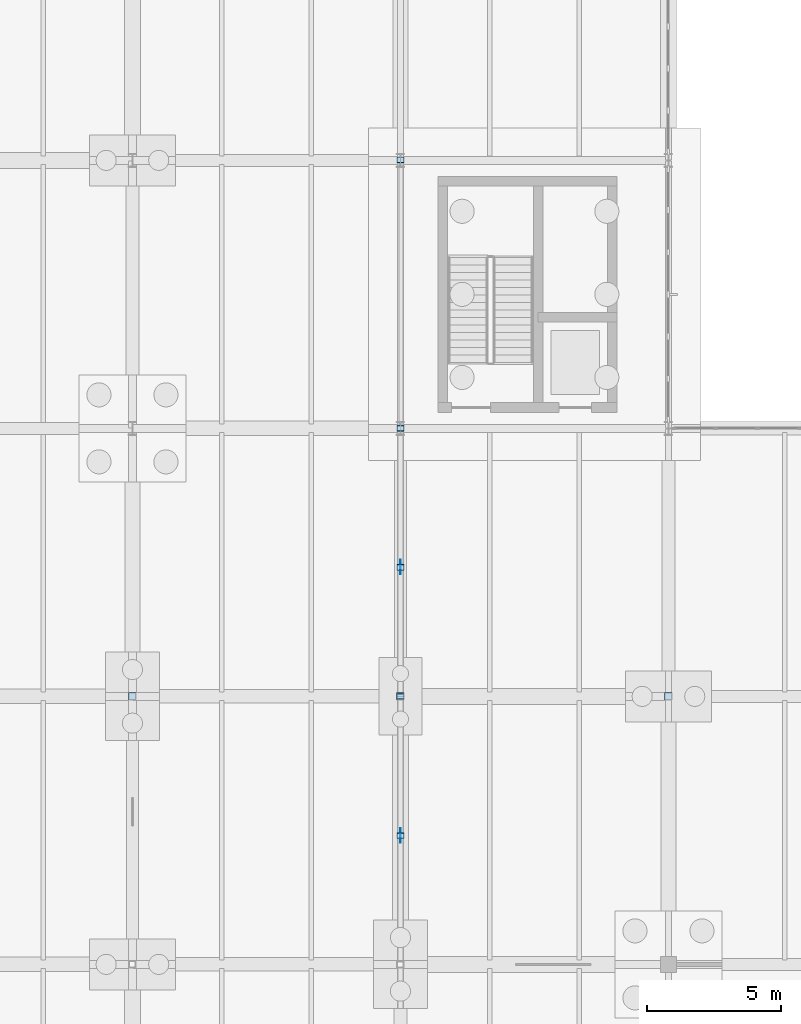
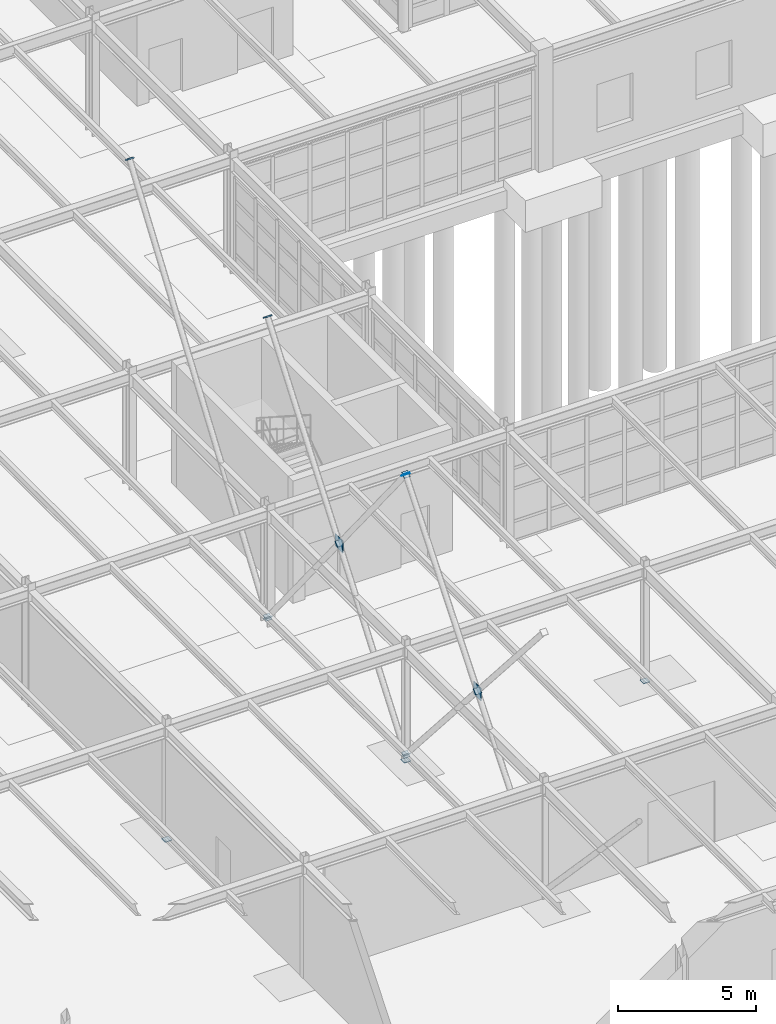
# One storey, part 110 of 145: 17 plates.
"""IFC4 building model written with IfcOpenShell, lengths in metres."""

from ifc_helpers import new_model, si_unit, direction, frame, origin, origin_2d, place, context, subcontext, project, spatial, rectangle, extrude, material, layer, layer_set, type_object, element, save


model = new_model("IFC4")

# Units and contexts
model_context = context("Model", 3, precision=1e-05, world=origin(), true_north=direction((0.0, 1.0)))
body_context = subcontext(model_context, "Body", "Model", "MODEL_VIEW")
ifc_project = project(units=[si_unit("LENGTHUNIT", "METRE"), si_unit("AREAUNIT", "SQUARE_METRE"), si_unit("VOLUMEUNIT", "CUBIC_METRE"), si_unit("PLANEANGLEUNIT", "RADIAN"), si_unit("MASSUNIT", "GRAM", prefix="KILO"), si_unit("THERMODYNAMICTEMPERATUREUNIT", "KELVIN"), si_unit("POWERUNIT", "WATT")], contexts=[model_context])

# Site, building, storey
site_placement = place(None, origin())
site = spatial("IfcSite", under=ifc_project, at=site_placement, CompositionType="ELEMENT")
building_placement = place(site_placement, origin())
building = spatial("IfcBuilding", under=site, at=building_placement, Name="Korenveer Ferry Terminal", CompositionType="ELEMENT")
storey_placement = place(building_placement, origin())
storey = spatial("IfcBuildingStorey", under=building, at=storey_placement, Name="L00", CompositionType="ELEMENT", Elevation=0.0)

# Plates
ifc_material = material(Name="Steel S355", Category="steel")
ifc_layer_1 = layer(ifc_material, 0.031982421875)
ifc_layer_set_1 = layer_set([ifc_layer_1], Name="Steel S355")
plate_type_1 = type_object("IfcPlateType", Name="STR-PLT-CAP32", PredefinedType="USERDEFINED", material=ifc_layer_set_1)
for number, where, z_axis, x_axis, name in (
    (1, (103.0, 40.0, -0.0322265625), (0.0, 0.0, 1.0), (1.0, 0.0, 0.0), "Hollow section end cap 29"),
    (2, (113.0, 40.0, -0.0322265625), (0.0, 0.0, 1.0), (1.0, 0.0, 0.0), "Hollow section end cap 36"),
    (3, (123.0, 40.0, -0.0322265625), (0.0, 0.0, 1.0), (1.0, 0.0, 0.0), "Hollow section end cap 41"),
):
    element("IfcPlate", number, at=place(storey_placement, frame(where, z_axis=z_axis, x_axis=x_axis)), inside=storey, type_object=plate_type_1, Name=name, ObjectType="END CAP PLATE", PredefinedType="USERDEFINED", context=body_context, shape_type="SweptSolid", body=[
        extrude(rectangle(XDim=0.280029296875, YDim=0.280029296875, at=origin_2d()), origin(), (0.0, 0.0, 1.0), 0.031982421875),
    ])
for number, where, z_axis, x_axis, name in (
    (4, (113.0, 40.0, 12.6142578125), (0.0, 0.628847979278, 0.777528275343), (-1.0, 0.0, 0.0), "Hollow section end cap 180"),
    (5, (113.0, 40.02099609375, 0.22607421875), (0.0, -0.657599163703, 0.753367997659), (1.0, 0.0, 0.0), "Hollow section end cap 181"),
    (6, (113.0, 34.809326171875, 6.196533203125), (0.0, -0.657599163703, 0.753367997659), (1.0, 0.0, 0.0), "Hollow section end cap 182"),
    (7, (113.0, 34.830322265625, 6.172607421875), (0.0, -0.657599163703, 0.753367997659), (1.0, 0.0, 0.0), "Hollow section end cap 183"),
    (8, (113.0, 39.98095703125, 0.224609375), (0.0, 0.601761010006, 0.798676209008), (-1.0, 0.0, 0.0), "Hollow section end cap 185"),
    (9, (113.0, 50.0, 13.5224609375), (0.0, 0.601761010006, 0.798676209008), (-1.0, 0.0, 0.0), "Hollow section end cap 186"),
    (10, (113.0, 50.02001953125, 0.22509765625), (0.0, -0.628847979278, 0.777528275343), (1.0, 0.0, 0.0), "Hollow section end cap 187"),
    (11, (113.0, 44.82275390625, 6.651123046875), (0.0, -0.628847979278, 0.777528275343), (1.0, 0.0, 0.0), "Hollow section end cap 188"),
    (12, (113.0, 44.843017578125, 6.626220703125), (0.0, -0.628847979278, 0.777528275343), (1.0, 0.0, 0.0), "Hollow section end cap 189"),
    (13, (113.0, 40.0, 12.6142578125), (0.0, -0.628847979278, 0.777528275343), (1.0, 0.0, 0.0), "Hollow section end cap 190"),
    (14, (113.0, 49.9814453125, 0.2236328125), (0.0, 0.576312878962, 0.817229138946), (-1.0, 0.0, 0.0), "Hollow section end cap 191"),
    (15, (113.0, 60.0, 14.43017578125), (0.0, 0.576312878962, 0.817229138946), (-1.0, 0.0, 0.0), "Hollow section end cap 192"),
):
    element("IfcPlate", number, at=place(storey_placement, frame(where, z_axis=z_axis, x_axis=x_axis)), inside=storey, type_object=plate_type_1, Name=name, ObjectType="END CAP PLATE", PredefinedType="USERDEFINED", context=body_context, shape_type="SweptSolid", body=[
        extrude(rectangle(XDim=0.2490234375, YDim=0.2490234375, at=origin_2d()), origin(), (0.0, 0.0, 1.0), 0.031982421875),
    ])
ifc_layer_2 = layer(ifc_material, 0.02392578125)
ifc_layer_set_2 = layer_set([ifc_layer_2], Name="Steel S355")
plate_type_2 = type_object("IfcPlateType", Name="STR-PLT-GUS24", PredefinedType="USERDEFINED", material=ifc_layer_set_2)
for number, where, z_axis, x_axis, name in (
    (16, (112.988037109375, 34.809326171875, 6.196533203125), (1.0, 0.0, 0.0), (0.0, 1.0, 0.0), "X-brace crossing gusset plate 3"),
    (17, (112.988037109375, 44.822998046875, 6.651123046875), (1.0, 0.0, 0.0), (0.0, 1.0, 0.0), "X-brace crossing gusset plate 4"),
):
    element("IfcPlate", number, at=place(storey_placement, frame(where, z_axis=z_axis, x_axis=x_axis)), inside=storey, type_object=plate_type_2, Name=name, ObjectType="GUSSET PLATE", PredefinedType="USERDEFINED", context=body_context, shape_type="SweptSolid", body=[
        extrude(rectangle(XDim=0.550048828125, YDim=0.550048828125, at=origin_2d()), origin(), (0.0, 0.0, 1.0), 0.02392578125),
    ])

save(model, "model.ifc")
